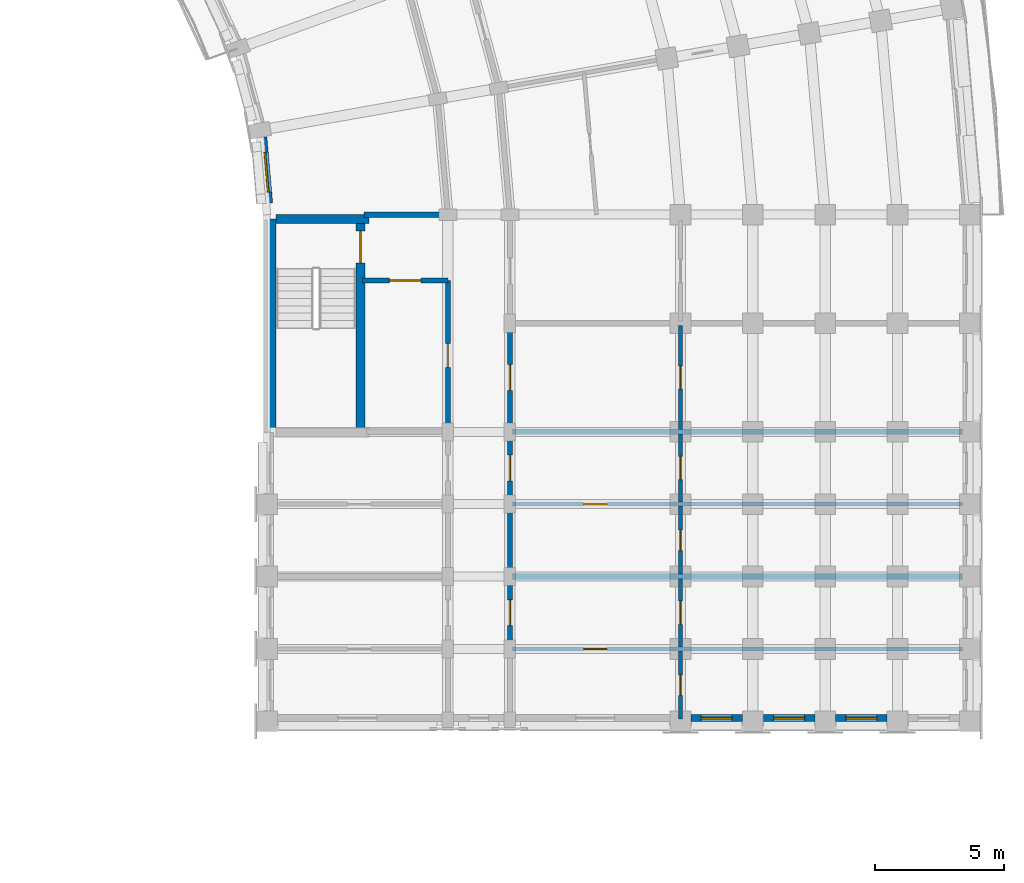
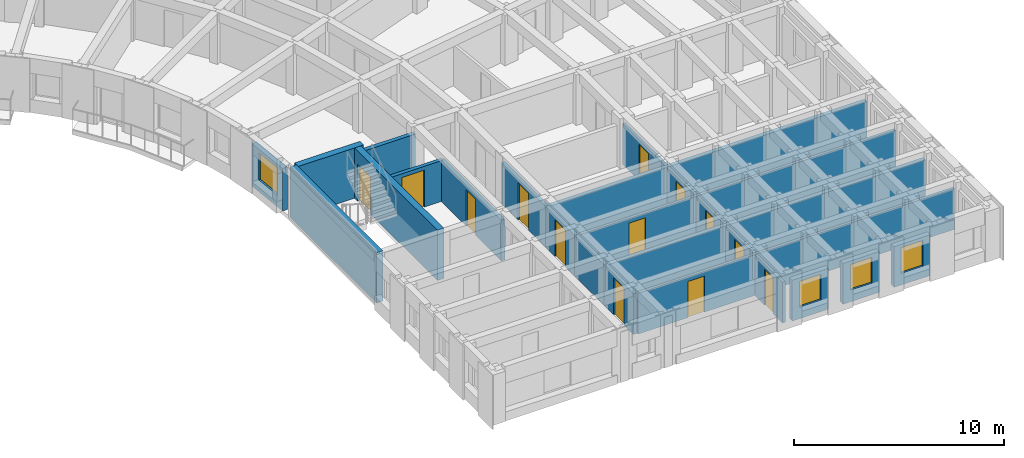
# One storey, part 31 of 54: 23 walls, 13 doors, 4 windows, 17 openings.
"""IFC4 building model written with IfcOpenShell, lengths in metres."""

from ifc_helpers import new_model, si_unit, direction, frame, frame_2d, origin, place, context, subcontext, project, spatial, rectangle, extrude, material, layer, layer_set, type_object, element, fill, save


model = new_model("IFC4")

# Units and contexts
model_context = context("Model", 3, precision=1e-05, world=origin(), true_north=direction((0.0, 1.0)))
body_context = subcontext(model_context, "Body", "Model", "MODEL_VIEW")
ifc_project = project(units=[si_unit("LENGTHUNIT", "METRE"), si_unit("AREAUNIT", "SQUARE_METRE"), si_unit("VOLUMEUNIT", "CUBIC_METRE"), si_unit("PLANEANGLEUNIT", "RADIAN"), si_unit("MASSUNIT", "GRAM", prefix="KILO")], contexts=[model_context])

# Site, building, storey
site_placement = place(None, origin())
site = spatial("IfcSite", under=ifc_project, at=site_placement, CompositionType="ELEMENT")
building_placement = place(site_placement, origin())
building = spatial("IfcBuilding", under=site, at=building_placement, Name="Kiranvali Square Residences", CompositionType="ELEMENT")
storey_placement = place(building_placement, frame((0.0, 0.0, 15.0)))
storey = spatial("IfcBuildingStorey", under=building, at=storey_placement, Name="L04", CompositionType="ELEMENT", Elevation=15.0)

# Wall, opening, door
ifc_material_1 = material(Name="Autoclaved aerated concrete blockwork masonry", Category="masonry")
ifc_layer_1 = layer(ifc_material_1, 0.199951171875)
ifc_layer_set_1 = layer_set([ifc_layer_1], Name="Autoclaved aerated concrete blockwork masonry")
wall_type_1 = type_object("IfcWallType", Name="WL-COR-200", PredefinedType="STANDARD", material=ifc_layer_set_1)
wall_1_placement = place(storey_placement, frame((142.300048828125, 85.25, 0.0), z_axis=(0.0, 0.0, 1.0), x_axis=(1.0, 0.0, 0.0)))
wall_1 = element("IfcWall", 1, at=wall_1_placement, inside=storey, type_object=wall_type_1, Name="L04 architectural wall WL-L04-B-S3-V", PredefinedType="STANDARD", context=body_context, shape_type="SweptSolid", body=[
    extrude(rectangle(XDim=3.300048828125, YDim=0.199951171875, at=frame_2d((1.64990234375, 0.0))), origin(), (0.0, 0.0, 1.0), 2.3720703125),
])
opening_1_placement = place(wall_1_placement, frame((1.0400390625, 0.0, 0.0)))
opening_1 = element("IfcOpeningElement", 2, at=opening_1_placement, cuts=wall_1, Name="Opening FD-COR-60", PredefinedType="OPENING", context=body_context, shape_type="SweptSolid", body=[
    extrude(rectangle(XDim=1.219970703125, YDim=2.14990234375, at=frame_2d((0.60986328125, 1.074951171875))), frame((0.0, 0.10986328125, 0.0), z_axis=(0.0, -1.0, 0.0), x_axis=(1.0, 0.0, 0.0)), (0.0, 0.0, 1.0), 0.219970703125),
])
ifc_material_2 = material(Name="Fire-rated acoustic hardwood and mineral-core door assembly", Category="wood")
door_type_1 = type_object("IfcDoorType", Name="DR-FD60-1200", OperationType="NOTDEFINED", PredefinedType="DOOR", material=ifc_material_2)
door_1_placement = place(opening_1_placement, frame((1.219970703125, 0.0, 0.0), z_axis=(0.0, 0.0, 1.0), x_axis=(-1.0, 0.0, 0.0)))
door_1 = element("IfcDoor", 3, at=door_1_placement, inside=storey, type_object=door_type_1, Name="L04 door DR-L04-1204 (DR-FD60-1200)", OperationType="SINGLE_SWING_RIGHT", OverallHeight=2.14990234375, OverallWidth=1.219970703125, PredefinedType="DOOR", context=body_context, shape_type="SweptSolid", body=[
    extrude(rectangle(XDim=1.219970703125, YDim=2.14990234375, at=frame_2d((0.60986328125, 1.074951171875))), frame((0.0, 0.02490234375, 0.0), z_axis=(0.0, -1.0, 0.0), x_axis=(1.0, 0.0, 0.0)), (0.0, 0.0, 1.0), 0.050048828125),
])
fill(opening_1, door_1)

wall_2_placement = place(storey_placement, frame((145.60009765625, 85.25, 0.0), z_axis=(0.0, 0.0, 1.0), x_axis=(0.0, -1.0, 0.0)))
wall_2 = element("IfcWall", 4, at=wall_2_placement, inside=storey, type_object=wall_type_1, Name="L04 architectural wall WL-L04-B-S3-COR", PredefinedType="STANDARD", context=body_context, shape_type="SweptSolid", body=[
    extrude(rectangle(XDim=5.800048828125, YDim=0.199951171875, at=frame_2d((2.89990234375, 0.0))), origin(), (0.0, 0.0, 1.0), 2.3720703125),
])
opening_2_placement = place(wall_2_placement, frame((2.43994140625, 0.0, 0.0)))
opening_2 = element("IfcOpeningElement", 5, at=opening_2_placement, cuts=wall_2, Name="Opening FD-SVC-120", PredefinedType="OPENING", context=body_context, shape_type="SweptSolid", body=[
    extrude(rectangle(XDim=0.919921875, YDim=2.10009765625, at=frame_2d((0.4599609375, 1.050048828125))), frame((0.0, 0.10986328125, 0.0), z_axis=(0.0, -1.0, 0.0), x_axis=(1.0, 0.0, 0.0)), (0.0, 0.0, 1.0), 0.219970703125),
])
door_type_2 = type_object("IfcDoorType", Name="DR-SVC-900", OperationType="NOTDEFINED", PredefinedType="DOOR", material=ifc_material_2)
door_2_placement = place(opening_2_placement, origin())
door_2 = element("IfcDoor", 6, at=door_2_placement, inside=storey, type_object=door_type_2, Name="L04 door DR-L04-1205 (DR-SVC-900)", OperationType="SINGLE_SWING_LEFT", OverallHeight=2.10009765625, OverallWidth=0.919921875, PredefinedType="DOOR", context=body_context, shape_type="SweptSolid", body=[
    extrude(rectangle(XDim=0.919921875, YDim=2.10009765625, at=frame_2d((0.4599609375, 1.050048828125))), frame((0.0, 0.02490234375, 0.0), z_axis=(0.0, -1.0, 0.0), x_axis=(1.0, 0.0, 0.0)), (0.0, 0.0, 1.0), 0.050048828125),
])
fill(opening_2, door_2)

wall_3_placement = place(storey_placement, frame((148.0, 83.60009765625, 0.0), z_axis=(0.0, 0.0, 1.0), x_axis=(0.0, -1.0, 0.0)))
wall_3 = element("IfcWall", 7, at=wall_3_placement, inside=storey, type_object=wall_type_1, Name="L04 architectural wall WL-L04-B-A2CF-C1", PredefinedType="STANDARD", context=body_context, shape_type="SweptSolid", body=[
    extrude(rectangle(XDim=4.2001953125, YDim=0.199951171875, at=frame_2d((2.10009765625, 0.0))), origin(), (0.0, 0.0, 1.0), 2.3720703125),
])
opening_3_placement = place(wall_3_placement, frame((1.60009765625, 0.0, 0.0)))
opening_3 = element("IfcOpeningElement", 8, at=opening_3_placement, cuts=wall_3, Name="Opening FD-APT-60", PredefinedType="OPENING", context=body_context, shape_type="SweptSolid", body=[
    extrude(rectangle(XDim=1.0, YDim=2.14990234375, at=frame_2d((0.5, 1.074951171875))), frame((0.0, 0.10986328125, 0.0), z_axis=(0.0, -1.0, 0.0), x_axis=(1.0, 0.0, 0.0)), (0.0, 0.0, 1.0), 0.219970703125),
])
door_type_3 = type_object("IfcDoorType", Name="DR-APT-1000", OperationType="NOTDEFINED", PredefinedType="DOOR", material=ifc_material_2)
door_3_placement = place(opening_3_placement, origin())
door_3 = element("IfcDoor", 9, at=door_3_placement, inside=storey, type_object=door_type_3, Name="L04 door DR-L04-1241 (DR-APT-1000)", OperationType="SINGLE_SWING_LEFT", OverallHeight=2.14990234375, OverallWidth=1.0, PredefinedType="DOOR", context=body_context, shape_type="SweptSolid", body=[
    extrude(rectangle(XDim=1.0, YDim=2.14990234375, at=frame_2d((0.5, 1.074951171875))), frame((0.0, 0.02490234375, 0.0), z_axis=(0.0, -1.0, 0.0), x_axis=(1.0, 0.0, 0.0)), (0.0, 0.0, 1.0), 0.050048828125),
])
fill(opening_3, door_3)

wall_4_placement = place(storey_placement, frame((148.0, 79.39990234375, 0.0), z_axis=(0.0, 0.0, 1.0), x_axis=(0.0, -1.0, 0.0)))
wall_4 = element("IfcWall", 10, at=wall_4_placement, inside=storey, type_object=wall_type_1, Name="L04 architectural wall WL-L04-B-A2CO-0", PredefinedType="STANDARD", context=body_context, shape_type="SweptSolid", body=[
    extrude(rectangle(XDim=2.7998046875, YDim=0.199951171875, at=frame_2d((1.39990234375, 0.0))), origin(), (0.0, 0.0, 1.0), 2.3720703125),
])
opening_4_placement = place(wall_4_placement, frame((0.89990234375, 0.0, 0.0)))
opening_4 = element("IfcOpeningElement", 11, at=opening_4_placement, cuts=wall_4, Name="Opening FD-APT-60", PredefinedType="OPENING", context=body_context, shape_type="SweptSolid", body=[
    extrude(rectangle(XDim=1.0, YDim=2.14990234375, at=frame_2d((0.5, 1.074951171875))), frame((0.0, 0.10986328125, 0.0), z_axis=(0.0, -1.0, 0.0), x_axis=(1.0, 0.0, 0.0)), (0.0, 0.0, 1.0), 0.219970703125),
])
door_4_placement = place(opening_4_placement, origin())
door_4 = element("IfcDoor", 12, at=door_4_placement, inside=storey, type_object=door_type_3, Name="L04 door DR-L04-1245 (DR-APT-1000)", OperationType="SINGLE_SWING_LEFT", OverallHeight=2.14990234375, OverallWidth=1.0, PredefinedType="DOOR", context=body_context, shape_type="SweptSolid", body=[
    extrude(rectangle(XDim=1.0, YDim=2.14990234375, at=frame_2d((0.5, 1.074951171875))), frame((0.0, 0.02490234375, 0.0), z_axis=(0.0, -1.0, 0.0), x_axis=(1.0, 0.0, 0.0)), (0.0, 0.0, 1.0), 0.050048828125),
])
fill(opening_4, door_4)

# Wall
wall_5_placement = place(storey_placement, frame((148.0, 76.60009765625, 0.0), z_axis=(0.0, 0.0, 1.0), x_axis=(0.0, -1.0, 0.0)))
element("IfcWall", 13, at=wall_5_placement, inside=storey, type_object=wall_type_1, Name="L04 architectural wall WL-L04-B-A2CO-1", PredefinedType="STANDARD", context=body_context, shape_type="SweptSolid", body=[
    extrude(rectangle(XDim=2.800048828125, YDim=0.199951171875, at=frame_2d((1.39990234375, 0.0))), origin(), (0.0, 0.0, 1.0), 2.3720703125),
])

# Wall, opening, door
wall_6_placement = place(storey_placement, frame((148.0, 73.800048828125, 0.0), z_axis=(0.0, 0.0, 1.0), x_axis=(0.0, -1.0, 0.0)))
wall_6 = element("IfcWall", 14, at=wall_6_placement, inside=storey, type_object=wall_type_1, Name="L04 architectural wall WL-L04-B-A2CO-2", PredefinedType="STANDARD", context=body_context, shape_type="SweptSolid", body=[
    extrude(rectangle(XDim=2.800048828125, YDim=0.199951171875, at=frame_2d((1.39990234375, 0.0))), origin(), (0.0, 0.0, 1.0), 2.3720703125),
])
opening_5_placement = place(wall_6_placement, frame((0.89990234375, 0.0, 0.0)))
opening_5 = element("IfcOpeningElement", 15, at=opening_5_placement, cuts=wall_6, Name="Opening FD-APT-60", PredefinedType="OPENING", context=body_context, shape_type="SweptSolid", body=[
    extrude(rectangle(XDim=1.0, YDim=2.14990234375, at=frame_2d((0.5, 1.074951171875))), frame((0.0, 0.10986328125, 0.0), z_axis=(0.0, -1.0, 0.0), x_axis=(1.0, 0.0, 0.0)), (0.0, 0.0, 1.0), 0.219970703125),
])
door_5_placement = place(opening_5_placement, origin())
door_5 = element("IfcDoor", 16, at=door_5_placement, inside=storey, type_object=door_type_3, Name="L04 door DR-L04-1251 (DR-APT-1000)", OperationType="SINGLE_SWING_LEFT", OverallHeight=2.14990234375, OverallWidth=1.0, PredefinedType="DOOR", context=body_context, shape_type="SweptSolid", body=[
    extrude(rectangle(XDim=1.0, YDim=2.14990234375, at=frame_2d((0.5, 1.074951171875))), frame((0.0, 0.02490234375, 0.0), z_axis=(0.0, -1.0, 0.0), x_axis=(1.0, 0.0, 0.0)), (0.0, 0.0, 1.0), 0.050048828125),
])
fill(opening_5, door_5)

# Walls
ifc_layer_2 = layer(ifc_material_1, 0.219970703125)
ifc_layer_set_2 = layer_set([ifc_layer_2], Name="Autoclaved aerated concrete blockwork masonry")
wall_type_2 = type_object("IfcWallType", Name="WL-DEM-220", PredefinedType="STANDARD", material=ifc_layer_set_2)
wall_7_placement = place(storey_placement, frame((142.35009765625, 87.800048828125, 0.0), z_axis=(0.0, 0.0, 1.0), x_axis=(1.0, 0.0, 0.0)))
element("IfcWall", 17, at=wall_7_placement, inside=storey, type_object=wall_type_2, Name="L04 architectural wall WL-L04-B-RADI-9", PredefinedType="STANDARD", context=body_context, shape_type="SweptSolid", body=[
    extrude(rectangle(XDim=3.199951171875, YDim=0.219970703125, at=frame_2d((1.60009765625, 0.0))), origin(), (0.0, 0.0, 1.0), 2.3720703125),
])
for number, where, z_axis, x_axis, name in (
    (18, (148.10009765625, 79.39990234375, 0.0), (0.0, 0.0, 1.0), (1.0, 0.0, 0.0), "L04 architectural wall WL-L04-B-A2TO-0"),
    (19, (148.10009765625, 73.800048828125, 0.0), (0.0, 0.0, 1.0), (1.0, 0.0, 0.0), "L04 architectural wall WL-L04-B-A2TO-2"),
):
    element("IfcWall", number, at=place(storey_placement, frame(where, z_axis=z_axis, x_axis=x_axis)), inside=storey, type_object=wall_type_2, Name=name, PredefinedType="STANDARD", context=body_context, shape_type="SweptSolid", body=[
        extrude(rectangle(XDim=17.419921875, YDim=0.219970703125, at=frame_2d((8.7099609375, 0.0))), origin(), (0.0, 0.0, 1.0), 2.3720703125),
    ])

# Wall, opening, window
ifc_material_3 = material(Name="Breathable lime-rendered clay brick masonry", Category="masonry")
ifc_layer_3 = layer(ifc_material_3, 0.27490234375)
ifc_layer_set_3 = layer_set([ifc_layer_3], Name="Breathable lime-rendered clay brick masonry")
wall_type_3 = type_object("IfcWallType", Name="WL-EXT-275", PredefinedType="STANDARD", material=ifc_layer_set_3)
wall_8_placement = place(storey_placement, frame((138.46337890625, 90.796875, 0.0), z_axis=(0.0, 0.0, 1.0), x_axis=(0.08716102895, -0.996194235595, 0.0)))
wall_8 = element("IfcWall", 20, at=wall_8_placement, inside=storey, type_object=wall_type_3, Name="L04 exterior wall B-L04-GDN-08", PredefinedType="STANDARD", context=body_context, shape_type="SweptSolid", body=[
    extrude(rectangle(XDim=2.557373046875, YDim=0.27490234375, at=frame_2d((1.27880859375, 0.0))), origin(), (0.0, 0.0, 1.0), 2.471923828125),
])
opening_6_placement = place(wall_8_placement, frame((0.583740234375, 0.0, 0.672119140625)))
opening_6 = element("IfcOpeningElement", 21, at=opening_6_placement, cuts=wall_8, Name="Opening W-18", PredefinedType="OPENING", context=body_context, shape_type="SweptSolid", body=[
    extrude(rectangle(XDim=1.550048828125, YDim=1.60009765625, at=frame_2d((0.77490234375, 0.800048828125))), frame((0.0, 0.1474609375, 0.0), z_axis=(0.0, -1.0, 0.0), x_axis=(1.0, 0.0, 0.0)), (0.0, 0.0, 1.0), 0.294921875),
])
ifc_material_4 = material(Name="Solar-control low-e double glazing", Category="glass")
window_type_1 = type_object("IfcWindowType", Name="WIN-GDN-1550x1600", PartitioningType="DOUBLE_PANEL_VERTICAL", PredefinedType="WINDOW", material=ifc_material_4)
window_1_placement = place(opening_6_placement, origin())
window_1 = element("IfcWindow", 22, at=window_1_placement, inside=storey, type_object=window_type_1, Name="L04 recessed window B-L04-GDN-08", OverallHeight=1.60009765625, OverallWidth=1.550048828125, PartitioningType="DOUBLE_PANEL_VERTICAL", PredefinedType="WINDOW", context=body_context, shape_type="SweptSolid", body=[
    extrude(rectangle(XDim=1.550048828125, YDim=1.60009765625, at=frame_2d((0.77490234375, 0.800048828125))), frame((0.0, 0.030029296875, 0.0), z_axis=(0.0, -1.0, 0.0), x_axis=(1.0, 0.0, 0.0)), (0.0, 0.0, 1.0), 0.06005859375),
])
fill(opening_6, window_1)

wall_9_placement = place(storey_placement, frame((155.00341796875, 68.324951171875, 0.0), z_axis=(0.0, 0.0, 1.0), x_axis=(1.0, 0.0, 0.0)))
wall_9 = element("IfcWall", 23, at=wall_9_placement, inside=storey, type_object=wall_type_3, Name="L04 exterior wall B-L04-A2END-3", PredefinedType="STANDARD", context=body_context, shape_type="SweptSolid", body=[
    extrude(rectangle(XDim=1.9931640625, YDim=0.27490234375, at=frame_2d((0.99658203125, 0.0))), origin(), (0.0, 0.0, 1.0), 2.3720703125),
])
opening_7_placement = place(wall_9_placement, frame((0.396484375, 0.0, 0.672119140625)))
opening_7 = element("IfcOpeningElement", 24, at=opening_7_placement, cuts=wall_9, Name="Opening W-06", PredefinedType="OPENING", context=body_context, shape_type="SweptSolid", body=[
    extrude(rectangle(XDim=1.199951171875, YDim=1.5, at=frame_2d((0.60009765625, 0.75))), frame((0.0, 0.1474609375, 0.0), z_axis=(0.0, -1.0, 0.0), x_axis=(1.0, 0.0, 0.0)), (0.0, 0.0, 1.0), 0.294921875),
])
window_type_2 = type_object("IfcWindowType", Name="WIN-RES-1200x1500", PartitioningType="SINGLE_PANEL", PredefinedType="WINDOW", material=ifc_material_4)
window_2_placement = place(opening_7_placement, origin())
window_2 = element("IfcWindow", 25, at=window_2_placement, inside=storey, type_object=window_type_2, Name="L04 recessed window B-L04-A2END-3", OverallHeight=1.5, OverallWidth=1.199951171875, PartitioningType="SINGLE_PANEL", PredefinedType="WINDOW", context=body_context, shape_type="SweptSolid", body=[
    extrude(rectangle(XDim=1.199951171875, YDim=1.5, at=frame_2d((0.60009765625, 0.75))), frame((0.0, 0.030029296875, 0.0), z_axis=(0.0, -1.0, 0.0), x_axis=(1.0, 0.0, 0.0)), (0.0, 0.0, 1.0), 0.06005859375),
])
fill(opening_7, window_2)

wall_10_placement = place(storey_placement, frame((157.803466796875, 68.324951171875, 0.0), z_axis=(0.0, 0.0, 1.0), x_axis=(1.0, 0.0, 0.0)))
wall_10 = element("IfcWall", 26, at=wall_10_placement, inside=storey, type_object=wall_type_3, Name="L04 exterior wall B-L04-A2END-4", PredefinedType="STANDARD", context=body_context, shape_type="SweptSolid", body=[
    extrude(rectangle(XDim=1.992919921875, YDim=0.27490234375, at=frame_2d((0.99658203125, 0.0))), origin(), (0.0, 0.0, 1.0), 2.3720703125),
])
opening_8_placement = place(wall_10_placement, frame((0.396484375, 0.0, 0.672119140625)))
opening_8 = element("IfcOpeningElement", 27, at=opening_8_placement, cuts=wall_10, Name="Opening W-06", PredefinedType="OPENING", context=body_context, shape_type="SweptSolid", body=[
    extrude(rectangle(XDim=1.199951171875, YDim=1.5, at=frame_2d((0.60009765625, 0.75))), frame((0.0, 0.1474609375, 0.0), z_axis=(0.0, -1.0, 0.0), x_axis=(1.0, 0.0, 0.0)), (0.0, 0.0, 1.0), 0.294921875),
])
window_3_placement = place(opening_8_placement, origin())
window_3 = element("IfcWindow", 28, at=window_3_placement, inside=storey, type_object=window_type_2, Name="L04 recessed window B-L04-A2END-4", OverallHeight=1.5, OverallWidth=1.199951171875, PartitioningType="SINGLE_PANEL", PredefinedType="WINDOW", context=body_context, shape_type="SweptSolid", body=[
    extrude(rectangle(XDim=1.199951171875, YDim=1.5, at=frame_2d((0.60009765625, 0.75))), frame((0.0, 0.030029296875, 0.0), z_axis=(0.0, -1.0, 0.0), x_axis=(1.0, 0.0, 0.0)), (0.0, 0.0, 1.0), 0.06005859375),
])
fill(opening_8, window_3)

wall_11_placement = place(storey_placement, frame((160.603515625, 68.324951171875, 0.0), z_axis=(0.0, 0.0, 1.0), x_axis=(1.0, 0.0, 0.0)))
wall_11 = element("IfcWall", 29, at=wall_11_placement, inside=storey, type_object=wall_type_3, Name="L04 exterior wall B-L04-A2END-5", PredefinedType="STANDARD", context=body_context, shape_type="SweptSolid", body=[
    extrude(rectangle(XDim=1.992919921875, YDim=0.27490234375, at=frame_2d((0.99658203125, 0.0))), origin(), (0.0, 0.0, 1.0), 2.3720703125),
])
opening_9_placement = place(wall_11_placement, frame((0.396484375, 0.0, 0.672119140625)))
opening_9 = element("IfcOpeningElement", 30, at=opening_9_placement, cuts=wall_11, Name="Opening W-06", PredefinedType="OPENING", context=body_context, shape_type="SweptSolid", body=[
    extrude(rectangle(XDim=1.199951171875, YDim=1.5, at=frame_2d((0.60009765625, 0.75))), frame((0.0, 0.1474609375, 0.0), z_axis=(0.0, -1.0, 0.0), x_axis=(1.0, 0.0, 0.0)), (0.0, 0.0, 1.0), 0.294921875),
])
window_4_placement = place(opening_9_placement, origin())
window_4 = element("IfcWindow", 31, at=window_4_placement, inside=storey, type_object=window_type_2, Name="L04 recessed window B-L04-A2END-5", OverallHeight=1.5, OverallWidth=1.199951171875, PartitioningType="SINGLE_PANEL", PredefinedType="WINDOW", context=body_context, shape_type="SweptSolid", body=[
    extrude(rectangle(XDim=1.199951171875, YDim=1.5, at=frame_2d((0.60009765625, 0.75))), frame((0.0, 0.030029296875, 0.0), z_axis=(0.0, -1.0, 0.0), x_axis=(1.0, 0.0, 0.0)), (0.0, 0.0, 1.0), 0.06005859375),
])
fill(opening_9, window_4)

# Wall, opening, door
ifc_material_5 = material(Name="Acoustic gypsum board drylined partition", Category="gypsum")
ifc_layer_4 = layer(ifc_material_5, 0.14990234375)
ifc_layer_set_4 = layer_set([ifc_layer_4], Name="Acoustic gypsum board drylined partition")
wall_type_4 = type_object("IfcWallType", Name="WL-PRT-150", PredefinedType="PARTITIONING", material=ifc_layer_set_4)
wall_12_placement = place(storey_placement, frame((154.60009765625, 83.52001953125, 0.0), z_axis=(0.0, 0.0, 1.0), x_axis=(0.0, -1.0, 0.0)))
wall_12 = element("IfcWall", 32, at=wall_12_placement, inside=storey, type_object=wall_type_4, Name="L04 architectural wall WL-L04-B-A2CF-SP1", PredefinedType="PARTITIONING", context=body_context, shape_type="SweptSolid", body=[
    extrude(rectangle(XDim=4.0400390625, YDim=0.14990234375, at=frame_2d((2.02001953125, 0.0))), origin(), (0.0, 0.0, 1.0), 2.3720703125),
])
opening_10_placement = place(wall_12_placement, frame((1.570068359375, 0.0, 0.0)))
opening_10 = element("IfcOpeningElement", 33, at=opening_10_placement, cuts=wall_12, Name="Opening ID-1", PredefinedType="OPENING", context=body_context, shape_type="SweptSolid", body=[
    extrude(rectangle(XDim=0.89990234375, YDim=2.10009765625, at=frame_2d((0.449951171875, 1.050048828125))), frame((0.0, 0.0849609375, 0.0), z_axis=(0.0, -1.0, 0.0), x_axis=(1.0, 0.0, 0.0)), (0.0, 0.0, 1.0), 0.169921875),
])
ifc_material_6 = material(Name="Solid seasoned teak hardwood joinery", Category="wood")
door_type_4 = type_object("IfcDoorType", Name="DR-INT-900", OperationType="NOTDEFINED", PredefinedType="DOOR", material=ifc_material_6)
door_6_placement = place(opening_10_placement, frame((0.89990234375, 0.0, 0.0), z_axis=(0.0, 0.0, 1.0), x_axis=(-1.0, 0.0, 0.0)))
door_6 = element("IfcDoor", 34, at=door_6_placement, inside=storey, type_object=door_type_4, Name="L04 door DR-L04-1242 (DR-INT-900)", OperationType="SINGLE_SWING_RIGHT", OverallHeight=2.10009765625, OverallWidth=0.89990234375, PredefinedType="DOOR", context=body_context, shape_type="SweptSolid", body=[
    extrude(rectangle(XDim=0.89990234375, YDim=2.10009765625, at=frame_2d((0.449951171875, 1.050048828125))), frame((0.0, 0.02490234375, 0.0), z_axis=(0.0, -1.0, 0.0), x_axis=(1.0, 0.0, 0.0)), (0.0, 0.0, 1.0), 0.050048828125),
])
fill(opening_10, door_6)

wall_13_placement = place(storey_placement, frame((148.10009765625, 76.60009765625, 0.0), z_axis=(0.0, 0.0, 1.0), x_axis=(1.0, 0.0, 0.0)))
wall_13 = element("IfcWall", 35, at=wall_13_placement, inside=storey, type_object=wall_type_4, Name="L04 architectural wall WL-L04-B-A2TO-1", PredefinedType="PARTITIONING", context=body_context, shape_type="SweptSolid", body=[
    extrude(rectangle(XDim=17.419921875, YDim=0.14990234375, at=frame_2d((8.7099609375, 0.0))), origin(), (0.0, 0.0, 1.0), 2.3720703125),
])
opening_11_placement = place(wall_13_placement, frame((2.75, 0.0, 0.0)))
opening_11 = element("IfcOpeningElement", 36, at=opening_11_placement, cuts=wall_13, Name="Opening ID-1", PredefinedType="OPENING", context=body_context, shape_type="SweptSolid", body=[
    extrude(rectangle(XDim=0.89990234375, YDim=2.10009765625, at=frame_2d((0.449951171875, 1.050048828125))), frame((0.0, 0.0849609375, 0.0), z_axis=(0.0, -1.0, 0.0), x_axis=(1.0, 0.0, 0.0)), (0.0, 0.0, 1.0), 0.169921875),
])
door_7_placement = place(opening_11_placement, frame((0.89990234375, 0.0, 0.0), z_axis=(0.0, 0.0, 1.0), x_axis=(-1.0, 0.0, 0.0)))
door_7 = element("IfcDoor", 37, at=door_7_placement, inside=storey, type_object=door_type_4, Name="L04 door DR-L04-1248 (DR-INT-900)", OperationType="SINGLE_SWING_RIGHT", OverallHeight=2.10009765625, OverallWidth=0.89990234375, PredefinedType="DOOR", context=body_context, shape_type="SweptSolid", body=[
    extrude(rectangle(XDim=0.89990234375, YDim=2.10009765625, at=frame_2d((0.449951171875, 1.050048828125))), frame((0.0, 0.02490234375, 0.0), z_axis=(0.0, -1.0, 0.0), x_axis=(1.0, 0.0, 0.0)), (0.0, 0.0, 1.0), 0.050048828125),
])
fill(opening_11, door_7)

wall_14_placement = place(storey_placement, frame((148.10009765625, 71.0, 0.0), z_axis=(0.0, 0.0, 1.0), x_axis=(1.0, 0.0, 0.0)))
wall_14 = element("IfcWall", 38, at=wall_14_placement, inside=storey, type_object=wall_type_4, Name="L04 architectural wall WL-L04-B-A2TO-3", PredefinedType="PARTITIONING", context=body_context, shape_type="SweptSolid", body=[
    extrude(rectangle(XDim=17.419921875, YDim=0.14990234375, at=frame_2d((8.7099609375, 0.0))), origin(), (0.0, 0.0, 1.0), 2.3720703125),
])
opening_12_placement = place(wall_14_placement, frame((2.75, 0.0, 0.0)))
opening_12 = element("IfcOpeningElement", 39, at=opening_12_placement, cuts=wall_14, Name="Opening ID-1", PredefinedType="OPENING", context=body_context, shape_type="SweptSolid", body=[
    extrude(rectangle(XDim=0.89990234375, YDim=2.10009765625, at=frame_2d((0.449951171875, 1.050048828125))), frame((0.0, 0.0849609375, 0.0), z_axis=(0.0, -1.0, 0.0), x_axis=(1.0, 0.0, 0.0)), (0.0, 0.0, 1.0), 0.169921875),
])
door_8_placement = place(opening_12_placement, frame((0.89990234375, 0.0, 0.0), z_axis=(0.0, 0.0, 1.0), x_axis=(-1.0, 0.0, 0.0)))
door_8 = element("IfcDoor", 40, at=door_8_placement, inside=storey, type_object=door_type_4, Name="L04 door DR-L04-1254 (DR-INT-900)", OperationType="SINGLE_SWING_RIGHT", OverallHeight=2.10009765625, OverallWidth=0.89990234375, PredefinedType="DOOR", context=body_context, shape_type="SweptSolid", body=[
    extrude(rectangle(XDim=0.89990234375, YDim=2.10009765625, at=frame_2d((0.449951171875, 1.050048828125))), frame((0.0, 0.02490234375, 0.0), z_axis=(0.0, -1.0, 0.0), x_axis=(1.0, 0.0, 0.0)), (0.0, 0.0, 1.0), 0.050048828125),
])
fill(opening_12, door_8)

# Wall
ifc_material_7 = material(Name="Concrete M50 (50 MPa)", Category="concrete")
ifc_layer_5 = layer(ifc_material_7, 0.35009765625)
ifc_layer_set_5 = layer_set([ifc_layer_5], Name="Concrete M50 (50 MPa)")
wall_type_5 = type_object("IfcWallType", Name="WL-SHR-350", PredefinedType="SHEAR", material=ifc_layer_set_5)
wall_15_placement = place(storey_placement, frame((138.77490234375, 87.625, 0.0), z_axis=(0.0, 0.0, 1.0), x_axis=(0.0, -1.0, 0.0)))
element("IfcWall", 41, at=wall_15_placement, inside=storey, type_object=wall_type_5, Name="Block B core shear wall SW-B3-OUT-L04", PredefinedType="SHEAR", context=body_context, shape_type="SweptSolid", body=[
    extrude(rectangle(XDim=8.25, YDim=0.35009765625, at=frame_2d((4.125, 0.0))), origin(), (0.0, 0.0, 1.0), 2.929931640625),
])

# Wall, opening, door
wall_16_placement = place(storey_placement, frame((142.22509765625, 87.449951171875, 0.0), z_axis=(0.0, 0.0, 1.0), x_axis=(0.0, -1.0, 0.0)))
wall_16 = element("IfcWall", 42, at=wall_16_placement, inside=storey, type_object=wall_type_5, Name="Block B core shear wall SW-B3-IN-L04", PredefinedType="SHEAR", context=body_context, shape_type="SweptSolid", body=[
    extrude(rectangle(XDim=7.89990234375, YDim=0.35009765625, at=frame_2d((3.949951171875, 0.0))), origin(), (0.0, 0.0, 1.0), 2.929931640625),
])
opening_13_placement = place(wall_16_placement, frame((0.280029296875, 0.0, 0.0)))
opening_13 = element("IfcOpeningElement", 43, at=opening_13_placement, cuts=wall_16, Name="Opening FD-ST-120", PredefinedType="OPENING", context=body_context, shape_type="SweptSolid", body=[
    extrude(rectangle(XDim=1.239990234375, YDim=2.14990234375, at=frame_2d((0.6201171875, 1.074951171875))), frame((0.0, 0.18505859375, 0.0), z_axis=(0.0, -1.0, 0.0), x_axis=(1.0, 0.0, 0.0)), (0.0, 0.0, 1.0), 0.3701171875),
])
door_type_5 = type_object("IfcDoorType", Name="DR-FD120-1200", OperationType="NOTDEFINED", PredefinedType="DOOR", material=ifc_material_2)
door_9_placement = place(opening_13_placement, frame((1.239990234375, 0.0, 0.0), z_axis=(0.0, 0.0, 1.0), x_axis=(-1.0, 0.0, 0.0)))
door_9 = element("IfcDoor", 44, at=door_9_placement, inside=storey, type_object=door_type_5, Name="L04 door DR-L04-1200 (DR-FD120-1200)", OperationType="SINGLE_SWING_RIGHT", OverallHeight=2.14990234375, OverallWidth=1.239990234375, PredefinedType="DOOR", context=body_context, shape_type="SweptSolid", body=[
    extrude(rectangle(XDim=1.239990234375, YDim=2.14990234375, at=frame_2d((0.6201171875, 1.074951171875))), frame((0.0, 0.02490234375, 0.0), z_axis=(0.0, -1.0, 0.0), x_axis=(1.0, 0.0, 0.0)), (0.0, 0.0, 1.0), 0.050048828125),
])
fill(opening_13, door_9)

# Wall
wall_17_placement = place(storey_placement, frame((138.949951171875, 87.625, 0.0), z_axis=(0.0, 0.0, 1.0), x_axis=(1.0, 0.0, 0.0)))
element("IfcWall", 45, at=wall_17_placement, inside=storey, type_object=wall_type_5, Name="Block B core shear wall SW-B3-NEAR-L04", PredefinedType="SHEAR", context=body_context, shape_type="SweptSolid", body=[
    extrude(rectangle(XDim=3.60009765625, YDim=0.35009765625, at=frame_2d((1.800048828125, 0.0))), origin(), (0.0, 0.0, 1.0), 2.929931640625),
])

# Wall, opening, door
ifc_layer_6 = layer(ifc_material_1, 0.14990234375)
ifc_layer_set_6 = layer_set([ifc_layer_6], Name="Autoclaved aerated concrete blockwork masonry")
wall_type_6 = type_object("IfcWallType", Name="WL-WET-150", PredefinedType="PLUMBINGWALL", material=ifc_layer_set_6)
wall_18_placement = place(storey_placement, frame((154.60009765625, 79.320068359375, 0.0), z_axis=(0.0, 0.0, 1.0), x_axis=(0.0, -1.0, 0.0)))
wall_18 = element("IfcWall", 46, at=wall_18_placement, inside=storey, type_object=wall_type_6, Name="L04 architectural wall WL-L04-B-A2SP-0", PredefinedType="PLUMBINGWALL", context=body_context, shape_type="SweptSolid", body=[
    extrude(rectangle(XDim=2.64013671875, YDim=0.14990234375, at=frame_2d((1.320068359375, 0.0))), origin(), (0.0, 0.0, 1.0), 2.3720703125),
])
opening_14_placement = place(wall_18_placement, frame((0.8701171875, 0.0, 0.0)))
opening_14 = element("IfcOpeningElement", 47, at=opening_14_placement, cuts=wall_18, Name="Opening ID-1", PredefinedType="OPENING", context=body_context, shape_type="SweptSolid", body=[
    extrude(rectangle(XDim=0.89990234375, YDim=2.10009765625, at=frame_2d((0.449951171875, 1.050048828125))), frame((0.0, 0.0849609375, 0.0), z_axis=(0.0, -1.0, 0.0), x_axis=(1.0, 0.0, 0.0)), (0.0, 0.0, 1.0), 0.169921875),
])
door_10_placement = place(opening_14_placement, frame((0.89990234375, 0.0, 0.0), z_axis=(0.0, 0.0, 1.0), x_axis=(-1.0, 0.0, 0.0)))
door_10 = element("IfcDoor", 48, at=door_10_placement, inside=storey, type_object=door_type_4, Name="L04 door DR-L04-1244 (DR-INT-900)", OperationType="SINGLE_SWING_RIGHT", OverallHeight=2.10009765625, OverallWidth=0.89990234375, PredefinedType="DOOR", context=body_context, shape_type="SweptSolid", body=[
    extrude(rectangle(XDim=0.89990234375, YDim=2.10009765625, at=frame_2d((0.449951171875, 1.050048828125))), frame((0.0, 0.02490234375, 0.0), z_axis=(0.0, -1.0, 0.0), x_axis=(1.0, 0.0, 0.0)), (0.0, 0.0, 1.0), 0.050048828125),
])
fill(opening_14, door_10)

wall_19_placement = place(storey_placement, frame((154.60009765625, 76.52001953125, 0.0), z_axis=(0.0, 0.0, 1.0), x_axis=(0.0, -1.0, 0.0)))
wall_19 = element("IfcWall", 49, at=wall_19_placement, inside=storey, type_object=wall_type_6, Name="L04 architectural wall WL-L04-B-A2SP-1", PredefinedType="PLUMBINGWALL", context=body_context, shape_type="SweptSolid", body=[
    extrude(rectangle(XDim=2.64013671875, YDim=0.14990234375, at=frame_2d((1.320068359375, 0.0))), origin(), (0.0, 0.0, 1.0), 2.3720703125),
])
opening_15_placement = place(wall_19_placement, frame((0.919921875, 0.0, 0.0)))
opening_15 = element("IfcOpeningElement", 50, at=opening_15_placement, cuts=wall_19, Name="Opening ID-WET", PredefinedType="OPENING", context=body_context, shape_type="SweptSolid", body=[
    extrude(rectangle(XDim=0.800048828125, YDim=2.10009765625, at=frame_2d((0.39990234375, 1.050048828125))), frame((0.0, 0.0849609375, 0.0), z_axis=(0.0, -1.0, 0.0), x_axis=(1.0, 0.0, 0.0)), (0.0, 0.0, 1.0), 0.169921875),
])
door_type_6 = type_object("IfcDoorType", Name="DR-WET-800", OperationType="NOTDEFINED", PredefinedType="DOOR", material=ifc_material_6)
door_11_placement = place(opening_15_placement, frame((0.800048828125, 0.0, 0.0), z_axis=(0.0, 0.0, 1.0), x_axis=(-1.0, 0.0, 0.0)))
door_11 = element("IfcDoor", 51, at=door_11_placement, inside=storey, type_object=door_type_6, Name="L04 door DR-L04-1246 (DR-WET-800)", OperationType="SINGLE_SWING_RIGHT", OverallHeight=2.10009765625, OverallWidth=0.800048828125, PredefinedType="DOOR", context=body_context, shape_type="SweptSolid", body=[
    extrude(rectangle(XDim=0.800048828125, YDim=2.10009765625, at=frame_2d((0.39990234375, 1.050048828125))), frame((0.0, 0.02490234375, 0.0), z_axis=(0.0, -1.0, 0.0), x_axis=(1.0, 0.0, 0.0)), (0.0, 0.0, 1.0), 0.050048828125),
])
fill(opening_15, door_11)

wall_20_placement = place(storey_placement, frame((154.60009765625, 73.719970703125, 0.0), z_axis=(0.0, 0.0, 1.0), x_axis=(0.0, -1.0, 0.0)))
wall_20 = element("IfcWall", 52, at=wall_20_placement, inside=storey, type_object=wall_type_6, Name="L04 architectural wall WL-L04-B-A2SP-2", PredefinedType="PLUMBINGWALL", context=body_context, shape_type="SweptSolid", body=[
    extrude(rectangle(XDim=2.639892578125, YDim=0.14990234375, at=frame_2d((1.31982421875, 0.0))), origin(), (0.0, 0.0, 1.0), 2.3720703125),
])
opening_16_placement = place(wall_20_placement, frame((0.8701171875, 0.0, 0.0)))
opening_16 = element("IfcOpeningElement", 53, at=opening_16_placement, cuts=wall_20, Name="Opening ID-1", PredefinedType="OPENING", context=body_context, shape_type="SweptSolid", body=[
    extrude(rectangle(XDim=0.89990234375, YDim=2.10009765625, at=frame_2d((0.449951171875, 1.050048828125))), frame((0.0, 0.0849609375, 0.0), z_axis=(0.0, -1.0, 0.0), x_axis=(1.0, 0.0, 0.0)), (0.0, 0.0, 1.0), 0.169921875),
])
door_12_placement = place(opening_16_placement, frame((0.89990234375, 0.0, 0.0), z_axis=(0.0, 0.0, 1.0), x_axis=(-1.0, 0.0, 0.0)))
door_12 = element("IfcDoor", 54, at=door_12_placement, inside=storey, type_object=door_type_4, Name="L04 door DR-L04-1250 (DR-INT-900)", OperationType="SINGLE_SWING_RIGHT", OverallHeight=2.10009765625, OverallWidth=0.89990234375, PredefinedType="DOOR", context=body_context, shape_type="SweptSolid", body=[
    extrude(rectangle(XDim=0.89990234375, YDim=2.10009765625, at=frame_2d((0.449951171875, 1.050048828125))), frame((0.0, 0.02490234375, 0.0), z_axis=(0.0, -1.0, 0.0), x_axis=(1.0, 0.0, 0.0)), (0.0, 0.0, 1.0), 0.050048828125),
])
fill(opening_16, door_12)

wall_21_placement = place(storey_placement, frame((154.60009765625, 70.919921875, 0.0), z_axis=(0.0, 0.0, 1.0), x_axis=(0.0, -1.0, 0.0)))
wall_21 = element("IfcWall", 55, at=wall_21_placement, inside=storey, type_object=wall_type_6, Name="L04 architectural wall WL-L04-B-A2SP-3", PredefinedType="PLUMBINGWALL", context=body_context, shape_type="SweptSolid", body=[
    extrude(rectangle(XDim=2.639892578125, YDim=0.14990234375, at=frame_2d((1.31982421875, 0.0))), origin(), (0.0, 0.0, 1.0), 2.3720703125),
])
opening_17_placement = place(wall_21_placement, frame((0.919921875, 0.0, 0.0)))
opening_17 = element("IfcOpeningElement", 56, at=opening_17_placement, cuts=wall_21, Name="Opening ID-WET", PredefinedType="OPENING", context=body_context, shape_type="SweptSolid", body=[
    extrude(rectangle(XDim=0.800048828125, YDim=2.10009765625, at=frame_2d((0.39990234375, 1.050048828125))), frame((0.0, 0.0849609375, 0.0), z_axis=(0.0, -1.0, 0.0), x_axis=(1.0, 0.0, 0.0)), (0.0, 0.0, 1.0), 0.169921875),
])
door_13_placement = place(opening_17_placement, frame((0.800048828125, 0.0, 0.0), z_axis=(0.0, 0.0, 1.0), x_axis=(-1.0, 0.0, 0.0)))
door_13 = element("IfcDoor", 57, at=door_13_placement, inside=storey, type_object=door_type_6, Name="L04 door DR-L04-1252 (DR-WET-800)", OperationType="SINGLE_SWING_RIGHT", OverallHeight=2.10009765625, OverallWidth=0.800048828125, PredefinedType="DOOR", context=body_context, shape_type="SweptSolid", body=[
    extrude(rectangle(XDim=0.800048828125, YDim=2.10009765625, at=frame_2d((0.39990234375, 1.050048828125))), frame((0.0, 0.02490234375, 0.0), z_axis=(0.0, -1.0, 0.0), x_axis=(1.0, 0.0, 0.0)), (0.0, 0.0, 1.0), 0.050048828125),
])
fill(opening_17, door_13)

save(model, "model.ifc")
